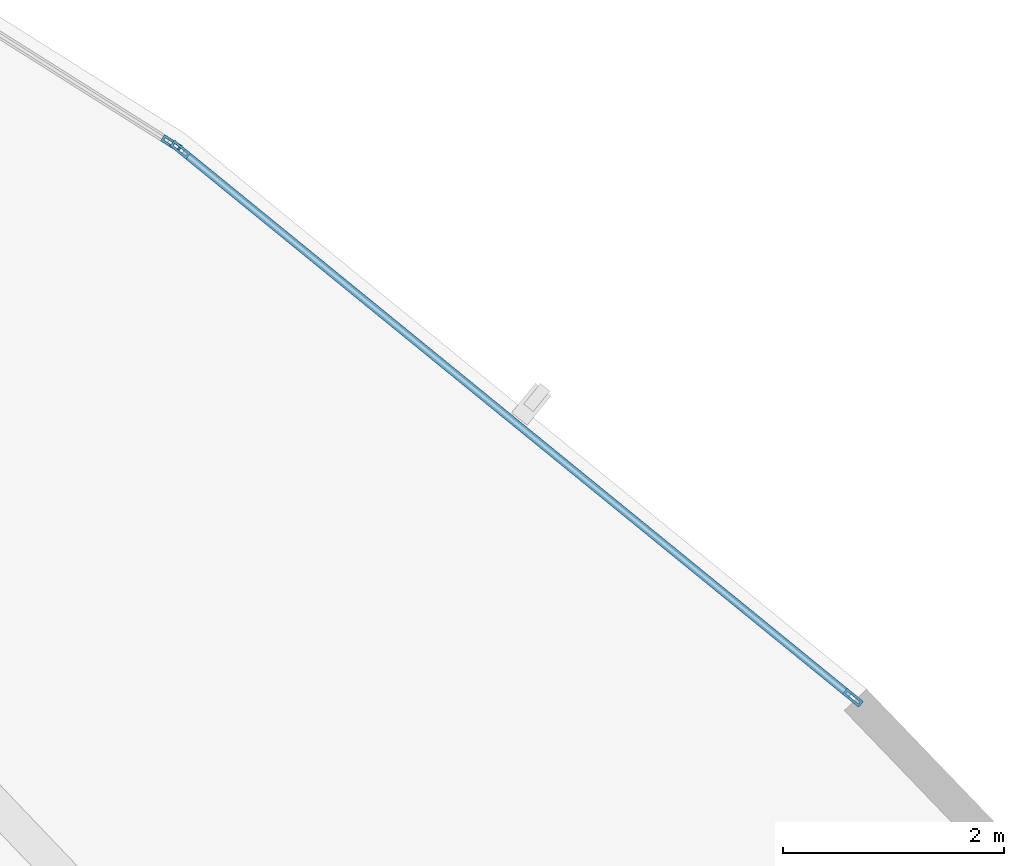
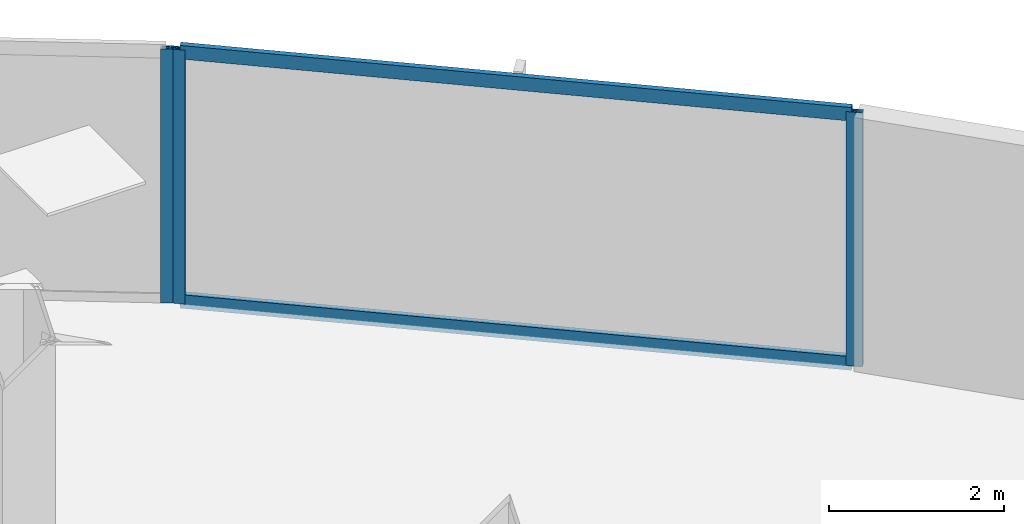
# One storey, part 9 of 17: 5 members, 2 elements without a shape of their own.
"""IFC4 building model written with IfcOpenShell, lengths in metres."""

from ifc_helpers import new_model, si_unit, direction, frame, origin, origin_2d, place, context, subcontext, project, spatial, hollow_rectangle, extrude, source, transform, mapped, material, layer, layer_set, material_profile, profile_set, type_object, type_shapes, element, aggregate, save


model = new_model("IFC4")

# Units and contexts
model_context = context("Model", 3, precision=1e-05, world=origin(), true_north=direction((0.0, 1.0)))
body_context = subcontext(model_context, "Body", "Model", "MODEL_VIEW")
ifc_project = project(units=[si_unit("LENGTHUNIT", "METRE"), si_unit("AREAUNIT", "SQUARE_METRE"), si_unit("VOLUMEUNIT", "CUBIC_METRE"), si_unit("PLANEANGLEUNIT", "RADIAN"), si_unit("MASSUNIT", "GRAM", prefix="KILO")], contexts=[model_context])

# Site, building, storey
site_placement = place(None, origin())
site = spatial("IfcSite", under=ifc_project, at=site_placement, CompositionType="ELEMENT")
building_placement = place(site_placement, origin())
building = spatial("IfcBuilding", under=site, at=building_placement, Name="Tavelor Broadcast Tower", CompositionType="ELEMENT")
storey_placement = place(building_placement, frame((0.0, 0.0, 134.85009765625)))
storey = spatial("IfcBuildingStorey", under=building, at=storey_placement, Name="L31", CompositionType="ELEMENT", Elevation=134.85009765625)

# Curtain wall, members
ifc_material = material(Name="Architectural Anodized Aluminium", Category="aluminium")
ifc_layer = layer(ifc_material, 0.18994140625)
ifc_layer_set = layer_set([ifc_layer], Name="Architectural Anodized Aluminium")
curtain_wall_type = type_object("IfcCurtainWallType", Name="Tower Mid-Zone Acoustic Curtain Wall CW03", PredefinedType="NOTDEFINED", material=ifc_layer_set)
curtain_wall_1_placement = place(storey_placement, origin())
curtain_wall_1 = element("IfcCurtainWall", 1, at=curtain_wall_1_placement, inside=storey, type_object=curtain_wall_type, Name="L31 Curtain Wall CW03 Run 321", PredefinedType="NOTDEFINED")
ifc_material_profile_1 = material_profile(ifc_material, hollow_rectangle(XDim=0.068115234375, YDim=0.18994140625, WallThickness=0.02197265625, at=origin_2d()), Name="RHS 68x190x22")
ifc_profile_set_1 = profile_set([ifc_material_profile_1], Name="Architectural Anodized Aluminium")
member_type_1 = type_object("IfcMemberType", Name="CW03 Extruded Aluminium Mullion 68x190", PredefinedType="MULLION", material=ifc_profile_set_1)
shared_shape_1 = source(origin(), body_context, "Body", "SweptSolid", [
    extrude(hollow_rectangle(XDim=0.068115234375, YDim=0.18994140625, WallThickness=0.02197265625, at=origin_2d()), origin(), (0.0, 0.0, 1.0), 3.5498046875),
])
type_shapes(member_type_1, [shared_shape_1])
member_1_placement = place(storey_placement, frame((72.527099609375, 57.822998046875, 0.0), z_axis=(0.0, 0.0, 1.0), x_axis=(-0.631699365235, -0.775213462191, 0.0)))
member_1 = element("IfcMember", 2, at=member_1_placement, type_object=member_type_1, Name="CW03 mullion 1", PredefinedType="MULLION", context=body_context, shape_type="MappedRepresentation", body=[
    mapped(shared_shape_1, transform((0.0, 0.0, 0.0), scale=1.0)),
])
member_2_placement = place(storey_placement, frame((66.439208984375, 62.783935546875, 0.0), z_axis=(0.0, 0.0, 1.0), x_axis=(-0.631699365235, -0.775213462191, 0.0)))
member_2 = element("IfcMember", 3, at=member_2_placement, type_object=member_type_1, Name="CW03 mullion 2", PredefinedType="MULLION", context=body_context, shape_type="MappedRepresentation", body=[
    mapped(shared_shape_1, transform((0.0, 0.0, 0.0), scale=1.0)),
])

# Curtain wall, member
curtain_wall_2_placement = place(storey_placement, origin())
curtain_wall_2 = element("IfcCurtainWall", 4, at=curtain_wall_2_placement, inside=storey, type_object=curtain_wall_type, Name="L31 Curtain Wall CW03 Run 322", PredefinedType="NOTDEFINED")
member_3_placement = place(storey_placement, frame((66.35986328125, 62.8408203125, 0.0), z_axis=(0.0, 0.0, 1.0), x_axis=(-0.533237565135, -0.845965542519, 0.0)))
member_3 = element("IfcMember", 5, at=member_3_placement, type_object=member_type_1, Name="CW03 mullion 1", PredefinedType="MULLION", context=body_context, shape_type="MappedRepresentation", body=[
    mapped(shared_shape_1, transform((0.0, 0.0, 0.0), scale=1.0)),
])
aggregate(curtain_wall_2, [member_3])

# Member
ifc_material_profile_2 = material_profile(ifc_material, hollow_rectangle(XDim=0.068115234375, YDim=0.18994140625, WallThickness=0.02197265625, at=origin_2d()), Name="RHS 68x190x22")
ifc_profile_set_2 = profile_set([ifc_material_profile_2], Name="Architectural Anodized Aluminium")
member_type_2 = type_object("IfcMemberType", Name="CW03 Extruded Aluminium Transom 68x190", PredefinedType="USERDEFINED", material=ifc_profile_set_2)
shared_shape_2 = source(origin(), body_context, "Body", "SweptSolid", [
    extrude(hollow_rectangle(XDim=0.068115234375, YDim=0.18994140625, WallThickness=0.02197265625, at=origin_2d()), origin(), (0.0, 0.0, 1.0), 7.78515625),
])
type_shapes(member_type_2, [shared_shape_2])
member_4_placement = place(storey_placement, frame((72.500732421875, 57.844482421875, 0.033935546875), z_axis=(-0.77520768416, 0.631706455895, 0.0), x_axis=(-0.631706455895, -0.77520768416, 0.0)))
member_4 = element("IfcMember", 6, at=member_4_placement, type_object=member_type_2, Name="CW03 transom 1.1", ObjectType="TRANSOM", PredefinedType="USERDEFINED", context=body_context, shape_type="MappedRepresentation", body=[
    mapped(shared_shape_2, transform((0.0, 0.0, 0.0), scale=1.0)),
])

member_5_placement = place(storey_placement, frame((72.500732421875, 57.844482421875, 3.515869140625), z_axis=(-0.77520768416, 0.631706455895, 0.0), x_axis=(-0.631706455895, -0.77520768416, 0.0)))
member_5 = element("IfcMember", 7, at=member_5_placement, type_object=member_type_2, Name="CW03 transom 1.2", ObjectType="TRANSOM", PredefinedType="USERDEFINED", context=body_context, shape_type="MappedRepresentation", body=[
    mapped(shared_shape_2, transform((0.0, 0.0, 0.0), scale=1.0)),
])

aggregate(curtain_wall_1, [member_1, member_2, member_4, member_5])

save(model, "model.ifc")
